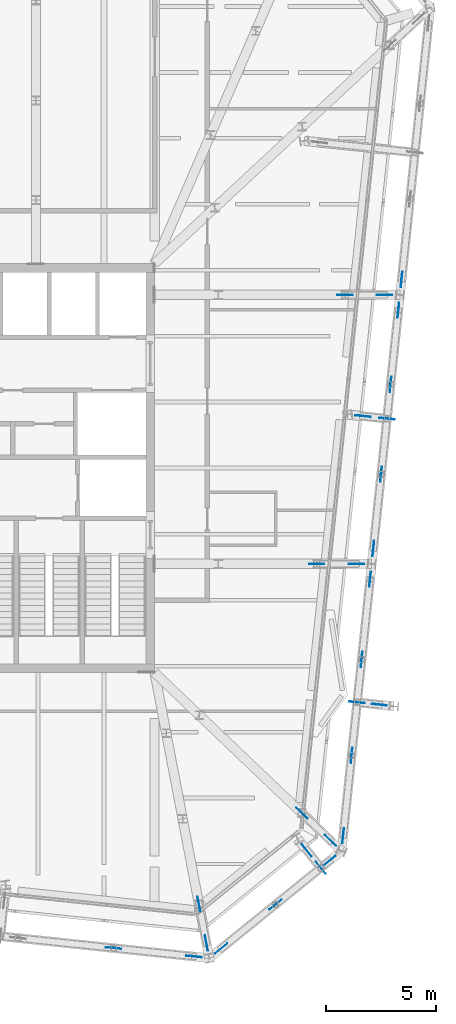
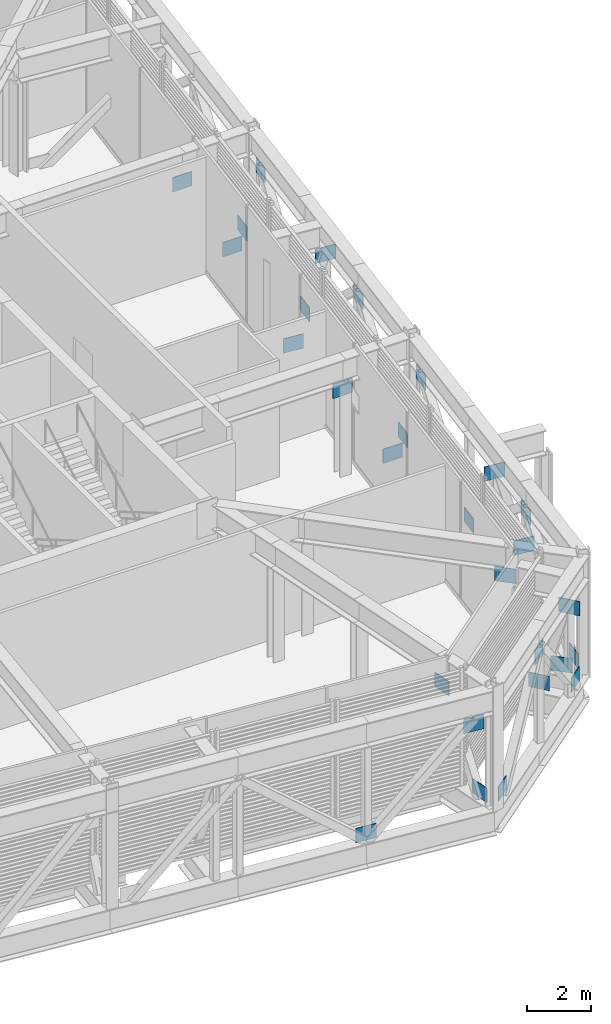
# One storey, part 31 of 36: 28 discrete accessories.
"""IFC4 building model written with IfcOpenShell, lengths in metres."""

from ifc_helpers import new_model, si_unit, direction, frame, origin, origin_2d, place, context, subcontext, project, spatial, rectangle, extrude, material, layer, layer_set, type_object, element, save


model = new_model("IFC4")

# Units and contexts
model_context = context("Model", 3, precision=1e-05, world=origin(), true_north=direction((0.0, 1.0)))
body_context = subcontext(model_context, "Body", "Model", "MODEL_VIEW")
ifc_project = project(units=[si_unit("LENGTHUNIT", "METRE"), si_unit("AREAUNIT", "SQUARE_METRE"), si_unit("VOLUMEUNIT", "CUBIC_METRE"), si_unit("PLANEANGLEUNIT", "RADIAN"), si_unit("MASSUNIT", "GRAM", prefix="KILO")], contexts=[model_context])

# Site, building, storey
site_placement = place(None, origin())
site = spatial("IfcSite", under=ifc_project, at=site_placement, CompositionType="ELEMENT")
building_placement = place(site_placement, origin())
building = spatial("IfcBuilding", under=site, at=building_placement, Name="Millrace Tower", CompositionType="ELEMENT")
storey_placement = place(building_placement, frame((0.0, 0.0, 271.39990234375)))
storey = spatial("IfcBuildingStorey", under=building, at=storey_placement, Name="L62", CompositionType="ELEMENT", Elevation=271.39990234375)

# Discrete accessories
ifc_material = material(Name="Steel ASTM A572 Grade 50", Category="steel")
ifc_layer = layer(ifc_material, 0.02490234375)
ifc_layer_set = layer_set([ifc_layer], Name="Steel ASTM A572 Grade 50")
discrete_accessory_type = type_object("IfcDiscreteAccessoryType", Name="Truss gusset plate 700x550x25", PredefinedType="BRACKET", material=ifc_layer_set)
for number, where, z_axis, x_axis, name in (
    (1, (12.08544921875, -21.785400390625, 0.114990234375), (0.99451309317, -0.104612176701, 0.0), (0.104612176701, 0.99451309317, 0.0), "Truss gusset plate TRS-L62-R04-D02 foot"),
    (2, (15.741455078125, -22.169921875, 3.2177734375), (0.994549313552, -0.104267266743, 0.0), (0.104267266743, 0.994549313552, 0.0), "Truss gusset plate TRS-L62-R04-D03 head"),
    (3, (17.0576171875, -22.059326171875, 0.114990234375), (0.777317955336, 0.629107936934, 0.0), (-0.629107936934, 0.777317955336, 0.0), "Truss gusset plate TRS-L62-R05-D01 foot"),
):
    element("IfcDiscreteAccessory", number, at=place(storey_placement, frame(where, z_axis=z_axis, x_axis=x_axis)), inside=storey, type_object=discrete_accessory_type, Name=name, PredefinedType="BRACKET", context=body_context, shape_type="SweptSolid", body=[
        extrude(rectangle(XDim=0.02490234375, YDim=0.550048828125, at=origin_2d()), origin(), (0.0, 0.0, 1.0), 0.7001953125),
    ])
for number, where, z_axis, x_axis, name in (
    (4, (19.5205078125, -20.06494140625, 3.2177734375), (0.777179880172, 0.629278502617, 0.0), (-0.629278502617, 0.777179880172, 0.0), "Truss gusset plate TRS-L62-R05-D01 head"),
    (5, (21.9833984375, -18.07080078125, 0.114990234375), (0.777009292299, 0.629489125943, 0.0), (-0.629489125943, 0.777009292299, 0.0), "Truss gusset plate TRS-L62-R05-D02 foot"),
    (6, (22.8359375, -17.061767578125, 0.114990234375), (0.10430344111, 0.994545520413, 0.0), (-0.994545520413, 0.10430344111, 0.0), "Truss gusset plate TRS-L62-R06-D01 foot"),
    (7, (23.22021484375, -13.40576171875, 3.2177734375), (0.10430344111, 0.994545520413, 0.0), (-0.994545520413, 0.10430344111, 0.0), "Truss gusset plate TRS-L62-R06-D01 head"),
):
    element("IfcDiscreteAccessory", number, at=place(storey_placement, frame(where, z_axis=z_axis, x_axis=x_axis)), inside=storey, type_object=discrete_accessory_type, Name=name, PredefinedType="BRACKET", context=body_context, shape_type="SweptSolid", body=[
        extrude(rectangle(XDim=0.02490234375, YDim=0.550048828125, at=origin_2d()), origin(), (0.0, 0.0, 1.0), 0.699951171875),
    ])
for number, where, z_axis, x_axis, name in (
    (8, (23.677490234375, -9.0537109375, 0.114990234375), (0.104612176701, 0.99451309317, 0.0), (-0.99451309317, 0.104612176701, 0.0), "Truss gusset plate TRS-L62-R06-D02 foot"),
    (9, (24.061767578125, -5.397705078125, 3.2177734375), (0.104612176701, 0.99451309317, 0.0), (-0.99451309317, 0.104612176701, 0.0), "Truss gusset plate TRS-L62-R06-D03 head"),
    (10, (24.208251953125, -4.00537109375, 0.114990234375), (0.104267266743, 0.994549313552, 0.0), (-0.994549313552, 0.104267266743, 0.0), "Truss gusset plate TRS-L62-R07-D01 foot"),
):
    element("IfcDiscreteAccessory", number, at=place(storey_placement, frame(where, z_axis=z_axis, x_axis=x_axis)), inside=storey, type_object=discrete_accessory_type, Name=name, PredefinedType="BRACKET", context=body_context, shape_type="SweptSolid", body=[
        extrude(rectangle(XDim=0.02490234375, YDim=0.550048828125, at=origin_2d()), origin(), (0.0, 0.0, 1.0), 0.7001953125),
    ])
discrete_accessory_1_placement = place(storey_placement, frame((24.5634765625, -0.623779296875, 3.2177734375), z_axis=(0.104648468085, 0.994509275033, 0.0), x_axis=(-0.994509275033, 0.104648468085, 0.0)))
element("IfcDiscreteAccessory", 11, at=discrete_accessory_1_placement, inside=storey, type_object=discrete_accessory_type, Name="Truss gusset plate TRS-L62-R07-D01 head", PredefinedType="BRACKET", context=body_context, shape_type="SweptSolid", body=[
    extrude(rectangle(XDim=0.02490234375, YDim=0.550048828125, at=origin_2d()), origin(), (0.0, 0.0, 1.0), 0.699951171875),
])
discrete_accessory_2_placement = place(storey_placement, frame((24.9921875, 3.45361328125, 0.114990234375), z_axis=(0.104267266743, 0.994549313552, 0.0), x_axis=(-0.994549313552, 0.104267266743, 0.0)))
element("IfcDiscreteAccessory", 12, at=discrete_accessory_2_placement, inside=storey, type_object=discrete_accessory_type, Name="Truss gusset plate TRS-L62-R07-D02 foot", PredefinedType="BRACKET", context=body_context, shape_type="SweptSolid", body=[
    extrude(rectangle(XDim=0.02490234375, YDim=0.550048828125, at=origin_2d()), origin(), (0.0, 0.0, 1.0), 0.7001953125),
])
discrete_accessory_3_placement = place(storey_placement, frame((25.347412109375, 6.8349609375, 3.2177734375), z_axis=(0.104648468085, 0.994509275033, 0.0), x_axis=(-0.994509275033, 0.104648468085, 0.0)))
element("IfcDiscreteAccessory", 13, at=discrete_accessory_3_placement, inside=storey, type_object=discrete_accessory_type, Name="Truss gusset plate TRS-L62-R07-D03 head", PredefinedType="BRACKET", context=body_context, shape_type="SweptSolid", body=[
    extrude(rectangle(XDim=0.02490234375, YDim=0.550048828125, at=origin_2d()), origin(), (0.0, 0.0, 1.0), 0.699951171875),
])
discrete_accessory_4_placement = place(storey_placement, frame((25.493896484375, 8.227294921875, 0.114990234375), z_axis=(0.104267266743, 0.994549313552, 0.0), x_axis=(-0.994549313552, 0.104267266743, 0.0)))
element("IfcDiscreteAccessory", 14, at=discrete_accessory_4_placement, inside=storey, type_object=discrete_accessory_type, Name="Truss gusset plate TRS-L62-R08-D01 foot", PredefinedType="BRACKET", context=body_context, shape_type="SweptSolid", body=[
    extrude(rectangle(XDim=0.02490234375, YDim=0.550048828125, at=origin_2d()), origin(), (0.0, 0.0, 1.0), 0.7001953125),
])
for number, where, z_axis, x_axis, name in (
    (15, (16.588134765625, -21.248291015625, 0.114990234375), (0.188329950127, -0.982105813996, 0.0), (0.982105813996, 0.188329950127, 0.0), "Truss gusset plate TRS-L62-C05-D01 foot"),
    (16, (16.249755859375, -19.48046875, 3.2177734375), (0.187993527685, -0.982170267086, 0.0), (0.982170267086, 0.187993527685, 0.0), "Truss gusset plate TRS-L62-C05-D01 head"),
    (17, (22.03955078125, -16.68505859375, 0.114990234375), (0.723648425873, -0.690168787857, 0.0), (0.690168787857, 0.723648425873, 0.0), "Truss gusset plate TRS-L62-C06-D01 foot"),
):
    element("IfcDiscreteAccessory", number, at=place(storey_placement, frame(where, z_axis=z_axis, x_axis=x_axis)), inside=storey, type_object=discrete_accessory_type, Name=name, PredefinedType="BRACKET", context=body_context, shape_type="SweptSolid", body=[
        extrude(rectangle(XDim=0.02490234375, YDim=0.550048828125, at=origin_2d()), origin(), (0.0, 0.0, 1.0), 0.699951171875),
    ])
discrete_accessory_5_placement = place(storey_placement, frame((20.7373046875, -15.4423828125, 3.2177734375), z_axis=(0.723474267096, -0.690351348843, 0.0), x_axis=(0.690351348843, 0.723474267096, 0.0)))
element("IfcDiscreteAccessory", 18, at=discrete_accessory_5_placement, inside=storey, type_object=discrete_accessory_type, Name="Truss gusset plate TRS-L62-C06-D01 head", PredefinedType="BRACKET", context=body_context, shape_type="SweptSolid", body=[
    extrude(rectangle(XDim=0.02490234375, YDim=0.550048828125, at=origin_2d()), origin(), (0.0, 0.0, 1.0), 0.7001953125),
])
for number, where, z_axis, x_axis, name in (
    (19, (23.12158203125, -4.353515625, 0.114990234375), (1.0, 0.0, 0.0), (0.0, 1.0, 0.0), "Truss gusset plate TRS-L62-C07-D01 foot"),
    (20, (21.321533203125, -4.353515625, 3.2177734375), (1.0, 0.0, 0.0), (0.0, 1.0, 0.0), "Truss gusset plate TRS-L62-C07-D01 head"),
):
    element("IfcDiscreteAccessory", number, at=place(storey_placement, frame(where, z_axis=z_axis, x_axis=x_axis)), inside=storey, type_object=discrete_accessory_type, Name=name, PredefinedType="BRACKET", context=body_context, shape_type="SweptSolid", body=[
        extrude(rectangle(XDim=0.02490234375, YDim=0.550048828125, at=origin_2d()), origin(), (0.0, 0.0, 1.0), 0.699951171875),
    ])
discrete_accessory_6_placement = place(storey_placement, frame((24.4072265625, 7.879150390625, 0.114990234375), z_axis=(1.0, 0.0, 0.0), x_axis=(0.0, 1.0, 0.0)))
element("IfcDiscreteAccessory", 21, at=discrete_accessory_6_placement, inside=storey, type_object=discrete_accessory_type, Name="Truss gusset plate TRS-L62-C08-D01 foot", PredefinedType="BRACKET", context=body_context, shape_type="SweptSolid", body=[
    extrude(rectangle(XDim=0.02490234375, YDim=0.550048828125, at=origin_2d()), origin(), (0.0, 0.0, 1.0), 0.7001953125),
])
for number, where, z_axis, x_axis, name in (
    (22, (22.607421875, 7.879150390625, 3.2177734375), (1.0, 0.0, 0.0), (0.0, 1.0, 0.0), "Truss gusset plate TRS-L62-C08-D01 head"),
    (23, (21.001708984375, -17.109619140625, 0.114990234375), (0.629489125943, -0.777009292299, 0.0), (0.777009292299, 0.629489125943, 0.0), "Truss gusset plate TRS-L62-B-D-X05-D01 foot"),
    (24, (21.640380859375, -17.898193359375, 3.2177734375), (0.629278502617, -0.777179880172, 0.0), (0.777179880172, 0.629278502617, 0.0), "Truss gusset plate TRS-L62-B-D-X05-D01 head"),
):
    element("IfcDiscreteAccessory", number, at=place(storey_placement, frame(where, z_axis=z_axis, x_axis=x_axis)), inside=storey, type_object=discrete_accessory_type, Name=name, PredefinedType="BRACKET", context=body_context, shape_type="SweptSolid", body=[
        extrude(rectangle(XDim=0.02490234375, YDim=0.550048828125, at=origin_2d()), origin(), (0.0, 0.0, 1.0), 0.699951171875),
    ])
discrete_accessory_7_placement = place(storey_placement, frame((24.162841796875, -10.718017578125, 0.114990234375), z_axis=(0.994549313552, -0.104267266743, 0.0), x_axis=(0.104267266743, 0.994549313552, 0.0)))
element("IfcDiscreteAccessory", 25, at=discrete_accessory_7_placement, inside=storey, type_object=discrete_accessory_type, Name="Truss gusset plate TRS-L62-B-D-X06-D01 foot", PredefinedType="BRACKET", context=body_context, shape_type="SweptSolid", body=[
    extrude(rectangle(XDim=0.02490234375, YDim=0.550048828125, at=origin_2d()), origin(), (0.0, 0.0, 1.0), 0.7001953125),
])
discrete_accessory_8_placement = place(storey_placement, frame((23.161865234375, -10.61279296875, 3.2177734375), z_axis=(0.994545520413, -0.10430344111, 0.0), x_axis=(0.10430344111, 0.994545520413, 0.0)))
element("IfcDiscreteAccessory", 26, at=discrete_accessory_8_placement, inside=storey, type_object=discrete_accessory_type, Name="Truss gusset plate TRS-L62-B-D-X06-D01 head", PredefinedType="BRACKET", context=body_context, shape_type="SweptSolid", body=[
    extrude(rectangle(XDim=0.02490234375, YDim=0.550048828125, at=origin_2d()), origin(), (0.0, 0.0, 1.0), 0.699951171875),
])
discrete_accessory_9_placement = place(storey_placement, frame((23.42578125, 2.40185546875, 0.114990234375), z_axis=(0.99451309317, -0.104612176701, 0.0), x_axis=(0.104612176701, 0.99451309317, 0.0)))
element("IfcDiscreteAccessory", 27, at=discrete_accessory_9_placement, inside=storey, type_object=discrete_accessory_type, Name="Truss gusset plate TRS-L62-B-D-X07-D01 foot", PredefinedType="BRACKET", context=body_context, shape_type="SweptSolid", body=[
    extrude(rectangle(XDim=0.02490234375, YDim=0.550048828125, at=origin_2d()), origin(), (0.0, 0.0, 1.0), 0.7001953125),
])
discrete_accessory_10_placement = place(storey_placement, frame((24.517578125, 2.287109375, 3.2177734375), z_axis=(0.994509275033, -0.104648468085, 0.0), x_axis=(0.104648468085, 0.994509275033, 0.0)))
element("IfcDiscreteAccessory", 28, at=discrete_accessory_10_placement, inside=storey, type_object=discrete_accessory_type, Name="Truss gusset plate TRS-L62-B-D-X07-D01 head", PredefinedType="BRACKET", context=body_context, shape_type="SweptSolid", body=[
    extrude(rectangle(XDim=0.02490234375, YDim=0.550048828125, at=origin_2d()), origin(), (0.0, 0.0, 1.0), 0.699951171875),
])

save(model, "model.ifc")
